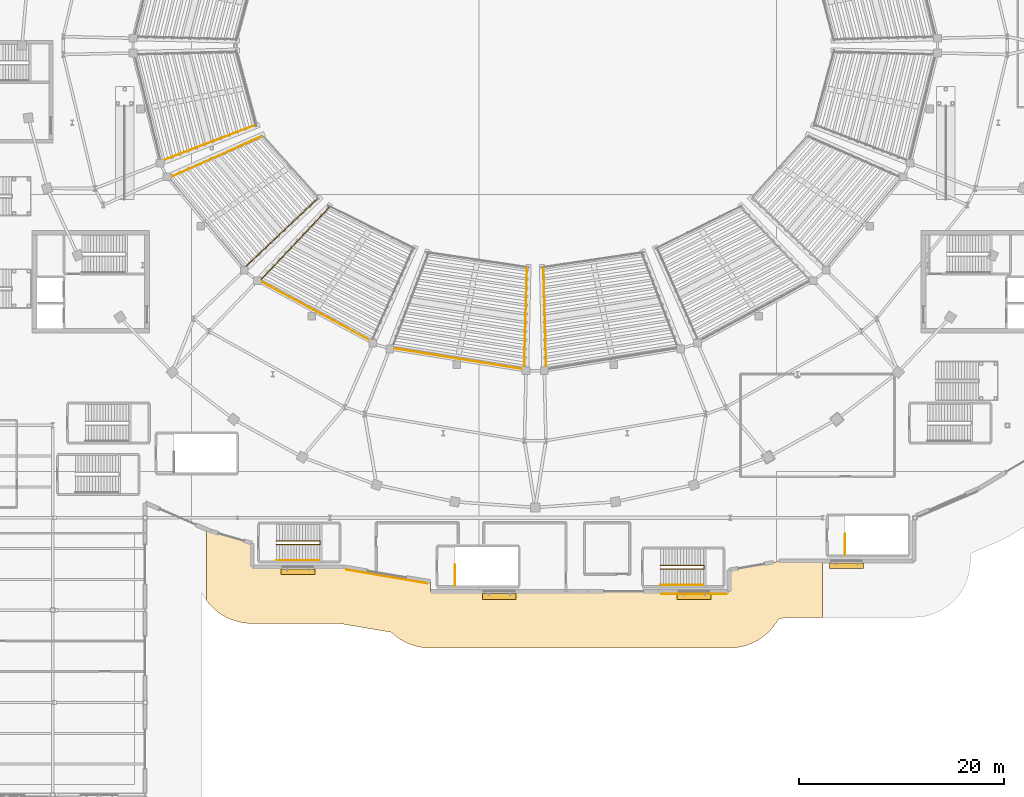
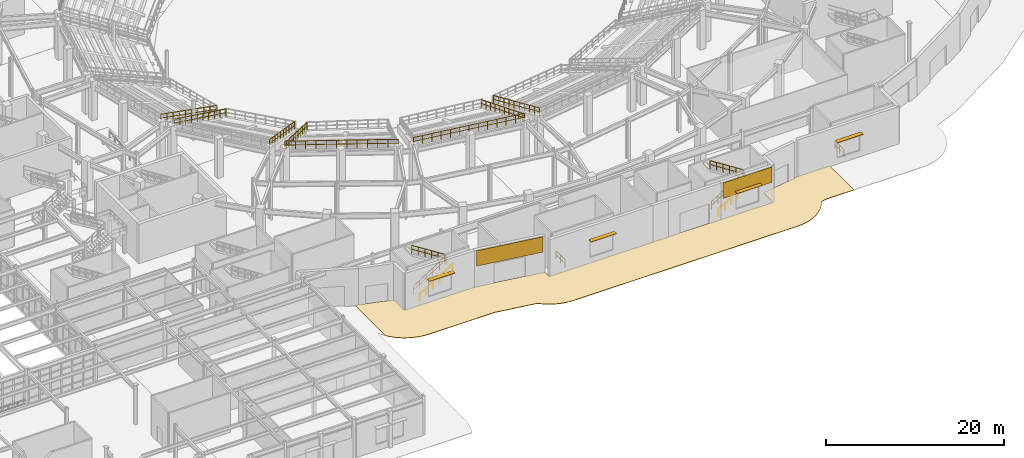
# One storey, part 72 of 79: 14 railings, 4 shading devices, 3 coverings.
"""IFC4 building model written with IfcOpenShell, lengths in metres."""

from ifc_helpers import new_model, si_unit, direction, frame, origin, origin_2d, place, context, subcontext, project, spatial, polyline, rectangle, circle, outline, extrude, material, layer, layer_set, type_object, element, save


model = new_model("IFC4")

# Units and contexts
model_context = context("Model", 3, precision=1e-05, world=origin(), true_north=direction((0.0, 1.0)))
body_context = subcontext(model_context, "Body", "Model", "MODEL_VIEW")
ifc_project = project(units=[si_unit("LENGTHUNIT", "METRE"), si_unit("AREAUNIT", "SQUARE_METRE"), si_unit("VOLUMEUNIT", "CUBIC_METRE"), si_unit("PLANEANGLEUNIT", "RADIAN"), si_unit("MASSUNIT", "GRAM", prefix="KILO")], contexts=[model_context])

# Site, building, storey
site_placement = place(None, origin())
site = spatial("IfcSite", under=ifc_project, at=site_placement, CompositionType="ELEMENT")
building_placement = place(site_placement, origin())
building = spatial("IfcBuilding", under=site, at=building_placement, Name="Glasvene Arena", CompositionType="ELEMENT")
storey_placement = place(building_placement, origin())
storey = spatial("IfcBuildingStorey", under=building, at=storey_placement, Name="L00", CompositionType="ELEMENT", Elevation=0.0)

# Coverings
ifc_material_1 = material(Name="Coursed pale Irish limestone", Category="masonry")
ifc_layer_1 = layer(ifc_material_1, 0.050048828125)
ifc_layer_set_1 = layer_set([ifc_layer_1], Name="Coursed pale Irish limestone")
covering_type_1 = type_object("IfcCoveringType", Name="COV-CLAD-LIM", PredefinedType="CLADDING", material=ifc_layer_set_1)
covering_1_placement = place(storey_placement, frame((107.47509765625, 19.580078125, 2.949951171875), z_axis=(0.0, 0.0, 1.0), x_axis=(-1.0, 0.0, 0.0)))
element("IfcCovering", 1, at=covering_1_placement, inside=storey, type_object=covering_type_1, Name="Irish limestone spandrel cladding EW-L00-0045", PredefinedType="CLADDING", context=body_context, shape_type="SweptSolid", body=[
    extrude(rectangle(XDim=6.35009765625, YDim=0.050048828125, at=origin_2d()), origin(), (0.0, 0.0, 1.0), 2.1201171875),
])
covering_2_placement = place(storey_placement, frame((77.533203125, 21.27099609375, 2.949951171875), z_axis=(0.0, 0.0, 1.0), x_axis=(-0.98587937025, 0.16745706111, 0.0)))
element("IfcCovering", 2, at=covering_2_placement, inside=storey, type_object=covering_type_1, Name="Irish limestone spandrel cladding EW-L00-0049", PredefinedType="CLADDING", context=body_context, shape_type="SweptSolid", body=[
    extrude(rectangle(XDim=8.000732421875, YDim=0.050048828125, at=origin_2d()), origin(), (0.0, 0.0, 1.0), 2.1201171875),
])
ifc_material_2 = material(Name="Irish silver-grey granite paving", Category="masonry")
ifc_layer_2 = layer(ifc_material_2, 0.06005859375)
ifc_layer_set_2 = layer_set([ifc_layer_2], Name="Irish silver-grey granite paving")
covering_type_2 = type_object("IfcCoveringType", Name="COV-PLAZA-GRAN", PredefinedType="FLOORING", material=ifc_layer_set_2)
covering_3_placement = place(storey_placement, frame((88.33251953125, 17.781494140625, -0.06005859375)))
element("IfcCovering", 3, at=covering_3_placement, inside=storey, type_object=covering_type_2, Name="Perimeter granite street plaza paving 03", PredefinedType="FLOORING", context=body_context, shape_type="SweptSolid", body=[
    extrude(outline(polyline([(28.153564453125, -0.4814453125), (27.791748046875, -0.56494140625), (27.3818359375, -0.634521484375), (27.140625, -1.037109375), (26.819091796875, -1.470703125), (26.45654296875, -1.87060546875), (26.056640625, -2.233154296875), (25.623046875, -2.5546875), (25.16015625, -2.83203125), (24.67236328125, -3.062744140625), (24.1640625, -3.24462890625), (23.640380859375, -3.375732421875), (23.106689453125, -3.455078125), (22.5673828125, -3.4814453125), (-6.532470703125, -3.4814453125), (-7.071533203125, -3.455078125), (-7.60546875, -3.375732421875), (-8.129150390625, -3.24462890625), (-8.63720703125, -3.062744140625), (-9.125244140625, -2.83203125), (-9.588134765625, -2.5546875), (-10.021728515625, -2.233154296875), (-10.340576171875, -1.944091796875), (-15.4169921875, -1.08154296875), (-23.9326171875, -1.08154296875), (-24.4716796875, -1.054931640625), (-25.005615234375, -0.975830078125), (-25.529052734375, -0.8447265625), (-26.037353515625, -0.662841796875), (-26.525146484375, -0.43212890625), (-26.988037109375, -0.154541015625), (-27.421630859375, 0.1669921875), (-27.821533203125, 0.529296875), (-28.18408203125, 0.92919921875), (-28.33251953125, 1.12939453125), (-28.33251953125, 8.065185546875), (-27.95458984375, 7.901123046875), (-23.942626953125, 6.72509765625), (-23.942626953125, 4.41845703125), (-14.953857421875, 4.408447265625), (-6.573974609375, 2.984619140625), (-6.54248046875, 2.98291015625), (-6.54248046875, 2.0185546875), (22.568359375, 2.008544921875), (22.577392578125, 4.11767578125), (26.8720703125, 4.847412109375), (27.421630859375, 5.008544921875), (31.66748046875, 5.008544921875), (31.66748046875, -0.4814453125), (28.153564453125, -0.4814453125)])), origin(), (0.0, 0.0, 1.0), 0.06005859375),
])

# Railings
ifc_material_3 = material(Name="Brushed stainless steel", Category="steel")
railing_type_1 = type_object("IfcRailingType", Name="RL-GUARD-1100", PredefinedType="GUARDRAIL", material=ifc_material_3)
railing_1_placement = place(storey_placement, frame((66.800048828125, 24.409912109375, 0.0)))
element("IfcRailing", 4, at=railing_1_placement, inside=storey, type_object=railing_type_1, Name="Stair inner well continuous guardrail ST-08-L00", PredefinedType="GUARDRAIL", context=body_context, shape_type="SweptSolid", body=[
    extrude(circle(Radius=0.02392578125, at=origin_2d()), frame((0.0, 0.0, 1.076171875), z_axis=(0.843501457581, 0.0, 0.537126885437), x_axis=(0.0, 1.0, 0.0)), (0.0, 0.0, 1.0), 5.026611328125),
    extrude(circle(Radius=0.01611328125, at=origin_2d()), frame((0.0, 0.0, 0.550048828125), z_axis=(0.843501457581, 0.0, 0.537126885437), x_axis=(0.0, 1.0, 0.0)), (0.0, 0.0, 1.0), 5.026611328125),
    extrude(circle(Radius=0.02392578125, at=origin_2d()), frame((4.239990234375, 0.0, 3.77587890625), z_axis=(0.0, 1.0, 0.0), x_axis=(-1.0, 0.0, 0.0)), (0.0, 0.0, 1.0), 0.330078125),
    extrude(circle(Radius=0.01611328125, at=origin_2d()), frame((4.239990234375, 0.0, 3.25), z_axis=(0.0, 1.0, 0.0), x_axis=(-1.0, 0.0, 0.0)), (0.0, 0.0, 1.0), 0.330078125),
    extrude(circle(Radius=0.02392578125, at=origin_2d()), frame((4.239990234375, 0.330078125, 3.77587890625), z_axis=(-0.843501457581, 0.0, 0.537126885437), x_axis=(0.0, -1.0, 0.0)), (0.0, 0.0, 1.0), 5.026611328125),
    extrude(circle(Radius=0.01611328125, at=origin_2d()), frame((4.239990234375, 0.330078125, 3.25), z_axis=(-0.843501457581, 0.0, 0.537126885437), x_axis=(0.0, -1.0, 0.0)), (0.0, 0.0, 1.0), 5.026611328125),
    extrude(circle(Radius=0.02099609375, at=origin_2d()), origin(), (0.0, 0.0, 1.0), 1.052001953125),
    extrude(circle(Radius=0.02099609375, at=origin_2d()), frame((0.847900390625, 0.0, 0.5400390625)), (0.0, 0.0, 1.0), 1.052001953125),
    extrude(circle(Radius=0.02099609375, at=origin_2d()), frame((1.696044921875, 0.0, 1.080078125)), (0.0, 0.0, 1.0), 1.052001953125),
    extrude(circle(Radius=0.02099609375, at=origin_2d()), frame((2.5439453125, 0.0, 1.619873046875)), (0.0, 0.0, 1.0), 1.052001953125),
    extrude(circle(Radius=0.02099609375, at=origin_2d()), frame((3.39208984375, 0.0, 2.159912109375)), (0.0, 0.0, 1.0), 1.052001953125),
    extrude(circle(Radius=0.02099609375, at=origin_2d()), frame((4.239990234375, 0.0, 2.699951171875)), (0.0, 0.0, 1.0), 1.052001953125),
    extrude(circle(Radius=0.02099609375, at=origin_2d()), frame((4.239990234375, 0.330078125, 2.699951171875)), (0.0, 0.0, 1.0), 1.052001953125),
    extrude(circle(Radius=0.02099609375, at=origin_2d()), frame((3.39208984375, 0.330078125, 3.239990234375)), (0.0, 0.0, 1.0), 1.052001953125),
    extrude(circle(Radius=0.02099609375, at=origin_2d()), frame((2.5439453125, 0.330078125, 3.780029296875)), (0.0, 0.0, 1.0), 1.052001953125),
    extrude(circle(Radius=0.02099609375, at=origin_2d()), frame((1.696044921875, 0.330078125, 4.31982421875)), (0.0, 0.0, 1.0), 1.052001953125),
    extrude(circle(Radius=0.02099609375, at=origin_2d()), frame((0.847900390625, 0.330078125, 4.85986328125)), (0.0, 0.0, 1.0), 1.052001953125),
    extrude(circle(Radius=0.02099609375, at=origin_2d()), frame((0.0, 0.330078125, 5.39990234375)), (0.0, 0.0, 1.0), 1.052001953125),
])
railing_2_placement = place(storey_placement, frame((104.199951171875, 22.010009765625, 0.0)))
element("IfcRailing", 5, at=railing_2_placement, inside=storey, type_object=railing_type_1, Name="Stair inner well continuous guardrail ST-09-L00", PredefinedType="GUARDRAIL", context=body_context, shape_type="SweptSolid", body=[
    extrude(circle(Radius=0.02392578125, at=origin_2d()), frame((0.0, 0.0, 1.076171875), z_axis=(0.843501457581, 0.0, 0.537126885437), x_axis=(0.0, 1.0, 0.0)), (0.0, 0.0, 1.0), 5.026611328125),
    extrude(circle(Radius=0.01611328125, at=origin_2d()), frame((0.0, 0.0, 0.550048828125), z_axis=(0.843501457581, 0.0, 0.537126885437), x_axis=(0.0, 1.0, 0.0)), (0.0, 0.0, 1.0), 5.026611328125),
    extrude(circle(Radius=0.02392578125, at=origin_2d()), frame((4.239990234375, 0.0, 3.77587890625), z_axis=(0.0, 1.0, 0.0), x_axis=(-1.0, 0.0, 0.0)), (0.0, 0.0, 1.0), 0.330078125),
    extrude(circle(Radius=0.01611328125, at=origin_2d()), frame((4.239990234375, 0.0, 3.25), z_axis=(0.0, 1.0, 0.0), x_axis=(-1.0, 0.0, 0.0)), (0.0, 0.0, 1.0), 0.330078125),
    extrude(circle(Radius=0.02392578125, at=origin_2d()), frame((4.239990234375, 0.330078125, 3.77587890625), z_axis=(-0.843501457581, 0.0, 0.537126885437), x_axis=(0.0, -1.0, 0.0)), (0.0, 0.0, 1.0), 5.026611328125),
    extrude(circle(Radius=0.01611328125, at=origin_2d()), frame((4.239990234375, 0.330078125, 3.25), z_axis=(-0.843501457581, 0.0, 0.537126885437), x_axis=(0.0, -1.0, 0.0)), (0.0, 0.0, 1.0), 5.026611328125),
    extrude(circle(Radius=0.02099609375, at=origin_2d()), origin(), (0.0, 0.0, 1.0), 1.052001953125),
    extrude(circle(Radius=0.02099609375, at=origin_2d()), frame((0.847900390625, 0.0, 0.5400390625)), (0.0, 0.0, 1.0), 1.052001953125),
    extrude(circle(Radius=0.02099609375, at=origin_2d()), frame((1.696044921875, 0.0, 1.080078125)), (0.0, 0.0, 1.0), 1.052001953125),
    extrude(circle(Radius=0.02099609375, at=origin_2d()), frame((2.5439453125, 0.0, 1.619873046875)), (0.0, 0.0, 1.0), 1.052001953125),
    extrude(circle(Radius=0.02099609375, at=origin_2d()), frame((3.39208984375, 0.0, 2.159912109375)), (0.0, 0.0, 1.0), 1.052001953125),
    extrude(circle(Radius=0.02099609375, at=origin_2d()), frame((4.239990234375, 0.0, 2.699951171875)), (0.0, 0.0, 1.0), 1.052001953125),
    extrude(circle(Radius=0.02099609375, at=origin_2d()), frame((4.239990234375, 0.330078125, 2.699951171875)), (0.0, 0.0, 1.0), 1.052001953125),
    extrude(circle(Radius=0.02099609375, at=origin_2d()), frame((3.39208984375, 0.330078125, 3.239990234375)), (0.0, 0.0, 1.0), 1.052001953125),
    extrude(circle(Radius=0.02099609375, at=origin_2d()), frame((2.5439453125, 0.330078125, 3.780029296875)), (0.0, 0.0, 1.0), 1.052001953125),
    extrude(circle(Radius=0.02099609375, at=origin_2d()), frame((1.696044921875, 0.330078125, 4.31982421875)), (0.0, 0.0, 1.0), 1.052001953125),
    extrude(circle(Radius=0.02099609375, at=origin_2d()), frame((0.847900390625, 0.330078125, 4.85986328125)), (0.0, 0.0, 1.0), 1.052001953125),
    extrude(circle(Radius=0.02099609375, at=origin_2d()), frame((0.0, 0.330078125, 5.39990234375)), (0.0, 0.0, 1.0), 1.052001953125),
])
for number, where, name in (
    (6, (122.199951171875, 23.39990234375, 0.0), "Stair top landing well guard ST-B07"),
    (7, (84.199951171875, 20.39990234375, 0.0), "Stair top landing well guard ST-B08"),
):
    element("IfcRailing", number, at=place(storey_placement, frame(where)), inside=storey, type_object=railing_type_1, Name=name, PredefinedType="GUARDRAIL", context=body_context, shape_type="SweptSolid", body=[
        extrude(circle(Radius=0.02392578125, at=origin_2d()), frame((0.0, 0.0, 1.076171875), z_axis=(0.0, 1.0, 0.0), x_axis=(-1.0, 0.0, 0.0)), (0.0, 0.0, 1.0), 2.0),
        extrude(circle(Radius=0.01611328125, at=origin_2d()), frame((0.0, 0.0, 0.550048828125), z_axis=(0.0, 1.0, 0.0), x_axis=(-1.0, 0.0, 0.0)), (0.0, 0.0, 1.0), 2.0),
        extrude(circle(Radius=0.02099609375, at=origin_2d()), origin(), (0.0, 0.0, 1.0), 1.052001953125),
        extrude(circle(Radius=0.02099609375, at=origin_2d()), frame((0.0, 1.0, 0.0)), (0.0, 0.0, 1.0), 1.052001953125),
        extrude(circle(Radius=0.02099609375, at=origin_2d()), frame((0.0, 2.0, 0.0)), (0.0, 0.0, 1.0), 1.052001953125),
    ])
railing_3_placement = place(storey_placement, frame((64.7705078125, 65.271728515625, 0.760009765625)))
element("IfcRailing", 8, at=railing_3_placement, inside=storey, type_object=railing_type_1, Name="Lower tier radial aisle guard 09-2", PredefinedType="GUARDRAIL", context=body_context, shape_type="SweptSolid", body=[
    extrude(circle(Radius=0.02392578125, at=origin_2d()), frame((0.0, 0.0, 1.076171875), z_axis=(-0.860565498755, -0.328831939306, 0.388968608046), x_axis=(0.356940655719, -0.934127062179, 0.0)), (0.0, 0.0, 1.0), 10.74609375),
    extrude(circle(Radius=0.01611328125, at=origin_2d()), frame((0.0, 0.0, 0.550048828125), z_axis=(-0.860565498755, -0.328831939306, 0.388968608046), x_axis=(0.356940655719, -0.934127062179, 0.0)), (0.0, 0.0, 1.0), 10.74609375),
    extrude(circle(Radius=0.02099609375, at=origin_2d()), origin(), (0.0, 0.0, 1.0), 1.052001953125),
    extrude(circle(Radius=0.02099609375, at=origin_2d()), frame((-1.027587890625, -0.392578125, 0.46435546875)), (0.0, 0.0, 1.0), 1.052001953125),
    extrude(circle(Radius=0.02099609375, at=origin_2d()), frame((-2.05517578125, -0.78515625, 0.928955078125)), (0.0, 0.0, 1.0), 1.052001953125),
    extrude(circle(Radius=0.02099609375, at=origin_2d()), frame((-3.08251953125, -1.177978515625, 1.393310546875)), (0.0, 0.0, 1.0), 1.052001953125),
    extrude(circle(Radius=0.02099609375, at=origin_2d()), frame((-4.110107421875, -1.570556640625, 1.857666015625)), (0.0, 0.0, 1.0), 1.052001953125),
    extrude(circle(Radius=0.02099609375, at=origin_2d()), frame((-5.1376953125, -1.963134765625, 2.322265625)), (0.0, 0.0, 1.0), 1.052001953125),
    extrude(circle(Radius=0.02099609375, at=origin_2d()), frame((-6.165283203125, -2.355712890625, 2.78662109375)), (0.0, 0.0, 1.0), 1.052001953125),
    extrude(circle(Radius=0.02099609375, at=origin_2d()), frame((-7.192626953125, -2.74853515625, 3.2509765625)), (0.0, 0.0, 1.0), 1.052001953125),
    extrude(circle(Radius=0.02099609375, at=origin_2d()), frame((-8.22021484375, -3.14111328125, 3.715576171875)), (0.0, 0.0, 1.0), 1.052001953125),
    extrude(circle(Radius=0.02099609375, at=origin_2d()), frame((-9.247802734375, -3.53369140625, 4.179931640625)), (0.0, 0.0, 1.0), 1.052001953125),
])
railing_4_placement = place(storey_placement, frame((65.38818359375, 64.164306640625, 0.760009765625)))
element("IfcRailing", 9, at=railing_4_placement, inside=storey, type_object=railing_type_1, Name="Lower tier radial aisle guard 10-1", PredefinedType="GUARDRAIL", context=body_context, shape_type="SweptSolid", body=[
    extrude(circle(Radius=0.02392578125, at=origin_2d()), frame((0.0, 0.0, 1.076171875), z_axis=(-0.841042563184, -0.375970107459, 0.388965146523), x_axis=(0.408107570305, -0.912933848129, 0.0)), (0.0, 0.0, 1.0), 10.746337890625),
    extrude(circle(Radius=0.01611328125, at=origin_2d()), frame((0.0, 0.0, 0.550048828125), z_axis=(-0.841042563184, -0.375970107459, 0.388965146523), x_axis=(0.408107570305, -0.912933848129, 0.0)), (0.0, 0.0, 1.0), 10.746337890625),
    extrude(circle(Radius=0.02099609375, at=origin_2d()), origin(), (0.0, 0.0, 1.0), 1.052001953125),
    extrude(circle(Radius=0.02099609375, at=origin_2d()), frame((-1.004150390625, -0.448974609375, 0.46435546875)), (0.0, 0.0, 1.0), 1.052001953125),
    extrude(circle(Radius=0.02099609375, at=origin_2d()), frame((-2.008544921875, -0.89794921875, 0.928955078125)), (0.0, 0.0, 1.0), 1.052001953125),
    extrude(circle(Radius=0.02099609375, at=origin_2d()), frame((-3.0126953125, -1.3466796875, 1.393310546875)), (0.0, 0.0, 1.0), 1.052001953125),
    extrude(circle(Radius=0.02099609375, at=origin_2d()), frame((-4.016845703125, -1.795654296875, 1.857666015625)), (0.0, 0.0, 1.0), 1.052001953125),
    extrude(circle(Radius=0.02099609375, at=origin_2d()), frame((-5.021240234375, -2.24462890625, 2.322265625)), (0.0, 0.0, 1.0), 1.052001953125),
    extrude(circle(Radius=0.02099609375, at=origin_2d()), frame((-6.025390625, -2.693603515625, 2.78662109375)), (0.0, 0.0, 1.0), 1.052001953125),
    extrude(circle(Radius=0.02099609375, at=origin_2d()), frame((-7.029541015625, -3.142333984375, 3.2509765625)), (0.0, 0.0, 1.0), 1.052001953125),
    extrude(circle(Radius=0.02099609375, at=origin_2d()), frame((-8.033935546875, -3.59130859375, 3.715576171875)), (0.0, 0.0, 1.0), 1.052001953125),
    extrude(circle(Radius=0.02099609375, at=origin_2d()), frame((-9.0380859375, -4.040283203125, 4.179931640625)), (0.0, 0.0, 1.0), 1.052001953125),
])
railing_5_placement = place(storey_placement, frame((70.8251953125, 58.120849609375, 0.760009765625)))
element("IfcRailing", 10, at=railing_5_placement, inside=storey, type_object=railing_type_1, Name="Lower tier radial aisle guard 10-2", PredefinedType="GUARDRAIL", context=body_context, shape_type="SweptSolid", body=[
    extrude(circle(Radius=0.02392578125, at=origin_2d()), frame((0.0, 0.0, 1.076171875), z_axis=(-0.669213812834, -0.633137106626, 0.388960508183), x_axis=(0.687255427654, -0.726415843137, 0.0)), (0.0, 0.0, 1.0), 10.746337890625),
    extrude(circle(Radius=0.01611328125, at=origin_2d()), frame((0.0, 0.0, 0.550048828125), z_axis=(-0.669213812834, -0.633137106626, 0.388960508183), x_axis=(0.687255427654, -0.726415843137, 0.0)), (0.0, 0.0, 1.0), 10.746337890625),
    extrude(circle(Radius=0.02099609375, at=origin_2d()), origin(), (0.0, 0.0, 1.0), 1.052001953125),
    extrude(circle(Radius=0.02099609375, at=origin_2d()), frame((-0.799072265625, -0.756103515625, 0.46435546875)), (0.0, 0.0, 1.0), 1.052001953125),
    extrude(circle(Radius=0.02099609375, at=origin_2d()), frame((-1.59814453125, -1.511962890625, 0.928955078125)), (0.0, 0.0, 1.0), 1.052001953125),
    extrude(circle(Radius=0.02099609375, at=origin_2d()), frame((-2.397216796875, -2.26806640625, 1.393310546875)), (0.0, 0.0, 1.0), 1.052001953125),
    extrude(circle(Radius=0.02099609375, at=origin_2d()), frame((-3.1962890625, -3.02392578125, 1.857666015625)), (0.0, 0.0, 1.0), 1.052001953125),
    extrude(circle(Radius=0.02099609375, at=origin_2d()), frame((-3.995361328125, -3.780029296875, 2.322265625)), (0.0, 0.0, 1.0), 1.052001953125),
    extrude(circle(Radius=0.02099609375, at=origin_2d()), frame((-4.79443359375, -4.535888671875, 2.78662109375)), (0.0, 0.0, 1.0), 1.052001953125),
    extrude(circle(Radius=0.02099609375, at=origin_2d()), frame((-5.593505859375, -5.2919921875, 3.2509765625)), (0.0, 0.0, 1.0), 1.052001953125),
    extrude(circle(Radius=0.02099609375, at=origin_2d()), frame((-6.392578125, -6.0478515625, 3.715576171875)), (0.0, 0.0, 1.0), 1.052001953125),
    extrude(circle(Radius=0.02099609375, at=origin_2d()), frame((-7.191650390625, -6.803955078125, 4.179931640625)), (0.0, 0.0, 1.0), 1.052001953125),
])
railing_6_placement = place(storey_placement, frame((65.000244140625, 50.168701171875, 4.93994140625)))
element("IfcRailing", 11, at=railing_6_placement, inside=storey, type_object=railing_type_1, Name="Safety guardrail GD-TL-LR-11-001", PredefinedType="GUARDRAIL", context=body_context, shape_type="SweptSolid", body=[
    extrude(circle(Radius=0.02392578125, at=origin_2d()), frame((0.0, 0.0, 1.076171875), z_axis=(0.87993179108, -0.475100034779, 0.0), x_axis=(0.475100034779, 0.87993179108, 0.0)), (0.0, 0.0, 1.0), 12.761474609375),
    extrude(circle(Radius=0.01611328125, at=origin_2d()), frame((0.0, 0.0, 0.550048828125), z_axis=(0.87993179108, -0.475100034779, 0.0), x_axis=(0.475100034779, 0.87993179108, 0.0)), (0.0, 0.0, 1.0), 12.761474609375),
    extrude(circle(Radius=0.02099609375, at=origin_2d()), origin(), (0.0, 0.0, 1.0), 1.052001953125),
    extrude(circle(Radius=0.02099609375, at=origin_2d()), frame((1.020751953125, -0.55126953125, 0.0)), (0.0, 0.0, 1.0), 1.052001953125),
    extrude(circle(Radius=0.02099609375, at=origin_2d()), frame((2.041748046875, -1.102294921875, 0.0)), (0.0, 0.0, 1.0), 1.052001953125),
    extrude(circle(Radius=0.02099609375, at=origin_2d()), frame((3.0625, -1.653564453125, 0.0)), (0.0, 0.0, 1.0), 1.052001953125),
    extrude(circle(Radius=0.02099609375, at=origin_2d()), frame((4.083251953125, -2.204833984375, 0.0)), (0.0, 0.0, 1.0), 1.052001953125),
    extrude(circle(Radius=0.02099609375, at=origin_2d()), frame((5.104248046875, -2.755859375, 0.0)), (0.0, 0.0, 1.0), 1.052001953125),
    extrude(circle(Radius=0.02099609375, at=origin_2d()), frame((6.125, -3.30712890625, 0.0)), (0.0, 0.0, 1.0), 1.052001953125),
    extrude(circle(Radius=0.02099609375, at=origin_2d()), frame((7.14599609375, -3.858154296875, 0.0)), (0.0, 0.0, 1.0), 1.052001953125),
    extrude(circle(Radius=0.02099609375, at=origin_2d()), frame((8.166748046875, -4.409423828125, 0.0)), (0.0, 0.0, 1.0), 1.052001953125),
    extrude(circle(Radius=0.02099609375, at=origin_2d()), frame((9.1875, -4.960693359375, 0.0)), (0.0, 0.0, 1.0), 1.052001953125),
    extrude(circle(Radius=0.02099609375, at=origin_2d()), frame((10.20849609375, -5.51171875, 0.0)), (0.0, 0.0, 1.0), 1.052001953125),
    extrude(circle(Radius=0.02099609375, at=origin_2d()), frame((11.229248046875, -6.06298828125, 0.0)), (0.0, 0.0, 1.0), 1.052001953125),
])
railing_7_placement = place(storey_placement, frame((71.96630859375, 57.273193359375, 0.760009765625)))
element("IfcRailing", 12, at=railing_7_placement, inside=storey, type_object=railing_type_1, Name="Lower tier radial aisle guard 11-1", PredefinedType="GUARDRAIL", context=body_context, shape_type="SweptSolid", body=[
    extrude(circle(Radius=0.02392578125, at=origin_2d()), frame((0.0, 0.0, 1.076171875), z_axis=(-0.633133120907, -0.669210894554, 0.388972016759), x_axis=(0.726416506845, -0.687254726126, 0.0)), (0.0, 0.0, 1.0), 10.74609375),
    extrude(circle(Radius=0.01611328125, at=origin_2d()), frame((0.0, 0.0, 0.550048828125), z_axis=(-0.633133120907, -0.669210894554, 0.388972016759), x_axis=(0.726416506845, -0.687254726126, 0.0)), (0.0, 0.0, 1.0), 10.74609375),
    extrude(circle(Radius=0.02099609375, at=origin_2d()), origin(), (0.0, 0.0, 1.0), 1.052001953125),
    extrude(circle(Radius=0.02099609375, at=origin_2d()), frame((-0.755859375, -0.799072265625, 0.46435546875)), (0.0, 0.0, 1.0), 1.052001953125),
    extrude(circle(Radius=0.02099609375, at=origin_2d()), frame((-1.511962890625, -1.59814453125, 0.928955078125)), (0.0, 0.0, 1.0), 1.052001953125),
    extrude(circle(Radius=0.02099609375, at=origin_2d()), frame((-2.267822265625, -2.397216796875, 1.393310546875)), (0.0, 0.0, 1.0), 1.052001953125),
    extrude(circle(Radius=0.02099609375, at=origin_2d()), frame((-3.02392578125, -3.1962890625, 1.857666015625)), (0.0, 0.0, 1.0), 1.052001953125),
    extrude(circle(Radius=0.02099609375, at=origin_2d()), frame((-3.77978515625, -3.9951171875, 2.322265625)), (0.0, 0.0, 1.0), 1.052001953125),
    extrude(circle(Radius=0.02099609375, at=origin_2d()), frame((-4.535888671875, -4.794189453125, 2.78662109375)), (0.0, 0.0, 1.0), 1.052001953125),
    extrude(circle(Radius=0.02099609375, at=origin_2d()), frame((-5.291748046875, -5.59326171875, 3.2509765625)), (0.0, 0.0, 1.0), 1.052001953125),
    extrude(circle(Radius=0.02099609375, at=origin_2d()), frame((-6.0478515625, -6.392333984375, 3.715576171875)), (0.0, 0.0, 1.0), 1.052001953125),
    extrude(circle(Radius=0.02099609375, at=origin_2d()), frame((-6.8037109375, -7.19140625, 4.179931640625)), (0.0, 0.0, 1.0), 1.052001953125),
])
railing_8_placement = place(storey_placement, frame((77.86767578125, 43.55712890625, 4.93994140625)))
element("IfcRailing", 13, at=railing_8_placement, inside=storey, type_object=railing_type_1, Name="Safety guardrail GD-TL-LR-12-001", PredefinedType="GUARDRAIL", context=body_context, shape_type="SweptSolid", body=[
    extrude(circle(Radius=0.02392578125, at=origin_2d()), frame((0.0, 0.0, 1.076171875), z_axis=(0.987325788785, -0.158706606038, 0.0), x_axis=(0.158706606038, 0.987325788785, 0.0)), (0.0, 0.0, 1.0), 13.41552734375),
    extrude(circle(Radius=0.01611328125, at=origin_2d()), frame((0.0, 0.0, 0.550048828125), z_axis=(0.987325788785, -0.158706606038, 0.0), x_axis=(0.158706606038, 0.987325788785, 0.0)), (0.0, 0.0, 1.0), 13.41552734375),
    extrude(circle(Radius=0.02099609375, at=origin_2d()), origin(), (0.0, 0.0, 1.0), 1.052001953125),
    extrude(circle(Radius=0.02099609375, at=origin_2d()), frame((1.103759765625, -0.177490234375, 0.0)), (0.0, 0.0, 1.0), 1.052001953125),
    extrude(circle(Radius=0.02099609375, at=origin_2d()), frame((2.20751953125, -0.35498046875, 0.0)), (0.0, 0.0, 1.0), 1.052001953125),
    extrude(circle(Radius=0.02099609375, at=origin_2d()), frame((3.3115234375, -0.5322265625, 0.0)), (0.0, 0.0, 1.0), 1.052001953125),
    extrude(circle(Radius=0.02099609375, at=origin_2d()), frame((4.415283203125, -0.709716796875, 0.0)), (0.0, 0.0, 1.0), 1.052001953125),
    extrude(circle(Radius=0.02099609375, at=origin_2d()), frame((5.51904296875, -0.88720703125, 0.0)), (0.0, 0.0, 1.0), 1.052001953125),
    extrude(circle(Radius=0.02099609375, at=origin_2d()), frame((6.622802734375, -1.064453125, 0.0)), (0.0, 0.0, 1.0), 1.052001953125),
    extrude(circle(Radius=0.02099609375, at=origin_2d()), frame((7.7265625, -1.241943359375, 0.0)), (0.0, 0.0, 1.0), 1.052001953125),
    extrude(circle(Radius=0.02099609375, at=origin_2d()), frame((8.830322265625, -1.41943359375, 0.0)), (0.0, 0.0, 1.0), 1.052001953125),
    extrude(circle(Radius=0.02099609375, at=origin_2d()), frame((9.93408203125, -1.596923828125, 0.0)), (0.0, 0.0, 1.0), 1.052001953125),
    extrude(circle(Radius=0.02099609375, at=origin_2d()), frame((11.0380859375, -1.7744140625, 0.0)), (0.0, 0.0, 1.0), 1.052001953125),
    extrude(circle(Radius=0.02099609375, at=origin_2d()), frame((12.141845703125, -1.95166015625, 0.0)), (0.0, 0.0, 1.0), 1.052001953125),
    extrude(circle(Radius=0.02099609375, at=origin_2d()), frame((13.24560546875, -2.129150390625, 0.0)), (0.0, 0.0, 1.0), 1.052001953125),
])
railing_9_placement = place(storey_placement, frame((91.193115234375, 51.3583984375, 0.760009765625)))
element("IfcRailing", 14, at=railing_9_placement, inside=storey, type_object=railing_type_1, Name="Lower tier radial aisle guard 12-2", PredefinedType="GUARDRAIL", context=body_context, shape_type="SweptSolid", body=[
    extrude(circle(Radius=0.02392578125, at=origin_2d()), frame((0.0, 0.0, 1.076171875), z_axis=(-0.025513003644, -0.920899022887, 0.388965392151), x_axis=(0.99961645242, -0.027693826966, 0.0)), (0.0, 0.0, 1.0), 10.746337890625),
    extrude(circle(Radius=0.01611328125, at=origin_2d()), frame((0.0, 0.0, 0.550048828125), z_axis=(-0.025513003644, -0.920899022887, 0.388965392151), x_axis=(0.99961645242, -0.027693826966, 0.0)), (0.0, 0.0, 1.0), 10.746337890625),
    extrude(circle(Radius=0.02099609375, at=origin_2d()), origin(), (0.0, 0.0, 1.0), 1.052001953125),
    extrude(circle(Radius=0.02099609375, at=origin_2d()), frame((-0.030517578125, -1.099609375, 0.46435546875)), (0.0, 0.0, 1.0), 1.052001953125),
    extrude(circle(Radius=0.02099609375, at=origin_2d()), frame((-0.06103515625, -2.19921875, 0.928955078125)), (0.0, 0.0, 1.0), 1.052001953125),
    extrude(circle(Radius=0.02099609375, at=origin_2d()), frame((-0.09130859375, -3.298828125, 1.393310546875)), (0.0, 0.0, 1.0), 1.052001953125),
    extrude(circle(Radius=0.02099609375, at=origin_2d()), frame((-0.121826171875, -4.3984375, 1.857666015625)), (0.0, 0.0, 1.0), 1.052001953125),
    extrude(circle(Radius=0.02099609375, at=origin_2d()), frame((-0.15234375, -5.497802734375, 2.322265625)), (0.0, 0.0, 1.0), 1.052001953125),
    extrude(circle(Radius=0.02099609375, at=origin_2d()), frame((-0.182861328125, -6.597412109375, 2.78662109375)), (0.0, 0.0, 1.0), 1.052001953125),
    extrude(circle(Radius=0.02099609375, at=origin_2d()), frame((-0.213134765625, -7.697021484375, 3.2509765625)), (0.0, 0.0, 1.0), 1.052001953125),
    extrude(circle(Radius=0.02099609375, at=origin_2d()), frame((-0.24365234375, -8.796630859375, 3.715576171875)), (0.0, 0.0, 1.0), 1.052001953125),
    extrude(circle(Radius=0.02099609375, at=origin_2d()), frame((-0.274169921875, -9.896240234375, 4.179931640625)), (0.0, 0.0, 1.0), 1.052001953125),
])
railing_10_placement = place(storey_placement, frame((92.806884765625, 51.3583984375, 0.760009765625)))
element("IfcRailing", 15, at=railing_10_placement, inside=storey, type_object=railing_type_1, Name="Lower tier radial aisle guard 13-1", PredefinedType="GUARDRAIL", context=body_context, shape_type="SweptSolid", body=[
    extrude(circle(Radius=0.02392578125, at=origin_2d()), frame((0.0, 0.0, 1.076171875), z_axis=(0.025513003644, -0.920899022887, 0.388965392151), x_axis=(0.99961645242, 0.027693826966, 0.0)), (0.0, 0.0, 1.0), 10.746337890625),
    extrude(circle(Radius=0.01611328125, at=origin_2d()), frame((0.0, 0.0, 0.550048828125), z_axis=(0.025513003644, -0.920899022887, 0.388965392151), x_axis=(0.99961645242, 0.027693826966, 0.0)), (0.0, 0.0, 1.0), 10.746337890625),
    extrude(circle(Radius=0.02099609375, at=origin_2d()), origin(), (0.0, 0.0, 1.0), 1.052001953125),
    extrude(circle(Radius=0.02099609375, at=origin_2d()), frame((0.030517578125, -1.099609375, 0.46435546875)), (0.0, 0.0, 1.0), 1.052001953125),
    extrude(circle(Radius=0.02099609375, at=origin_2d()), frame((0.06103515625, -2.19921875, 0.928955078125)), (0.0, 0.0, 1.0), 1.052001953125),
    extrude(circle(Radius=0.02099609375, at=origin_2d()), frame((0.09130859375, -3.298828125, 1.393310546875)), (0.0, 0.0, 1.0), 1.052001953125),
    extrude(circle(Radius=0.02099609375, at=origin_2d()), frame((0.121826171875, -4.3984375, 1.857666015625)), (0.0, 0.0, 1.0), 1.052001953125),
    extrude(circle(Radius=0.02099609375, at=origin_2d()), frame((0.15234375, -5.497802734375, 2.322265625)), (0.0, 0.0, 1.0), 1.052001953125),
    extrude(circle(Radius=0.02099609375, at=origin_2d()), frame((0.182861328125, -6.597412109375, 2.78662109375)), (0.0, 0.0, 1.0), 1.052001953125),
    extrude(circle(Radius=0.02099609375, at=origin_2d()), frame((0.213134765625, -7.697021484375, 3.2509765625)), (0.0, 0.0, 1.0), 1.052001953125),
    extrude(circle(Radius=0.02099609375, at=origin_2d()), frame((0.24365234375, -8.796630859375, 3.715576171875)), (0.0, 0.0, 1.0), 1.052001953125),
    extrude(circle(Radius=0.02099609375, at=origin_2d()), frame((0.274169921875, -9.896240234375, 4.179931640625)), (0.0, 0.0, 1.0), 1.052001953125),
])
railing_type_2 = type_object("IfcRailingType", Name="RL-HAND-950", PredefinedType="HANDRAIL", material=ifc_material_3)
for number, where, name in (
    (16, (66.800048828125, 22.860107421875, 0.0), "Stair wall handrail ST-08-L00"),
    (17, (104.199951171875, 20.4599609375, 0.0), "Stair wall handrail ST-09-L00"),
):
    element("IfcRailing", number, at=place(storey_placement, frame(where)), inside=storey, type_object=railing_type_2, Name=name, PredefinedType="HANDRAIL", context=body_context, shape_type="SweptSolid", body=[
        extrude(circle(Radius=0.02392578125, at=origin_2d()), frame((0.0, 0.0, 0.92578125), z_axis=(0.841180064094, 0.0, 0.540755119968), x_axis=(0.0, 1.0, 0.0)), (0.0, 0.0, 1.0), 4.992919921875),
        extrude(circle(Radius=0.02099609375, at=origin_2d()), origin(), (0.0, 0.0, 1.0), 0.90185546875),
        extrude(circle(Radius=0.02099609375, at=origin_2d()), frame((0.840087890625, 0.0, 0.5400390625)), (0.0, 0.0, 1.0), 0.90185546875),
        extrude(circle(Radius=0.02099609375, at=origin_2d()), frame((1.679931640625, 0.0, 1.080078125)), (0.0, 0.0, 1.0), 0.90185546875),
        extrude(circle(Radius=0.02099609375, at=origin_2d()), frame((2.52001953125, 0.0, 1.619873046875)), (0.0, 0.0, 1.0), 0.90185546875),
        extrude(circle(Radius=0.02099609375, at=origin_2d()), frame((3.35986328125, 0.0, 2.159912109375)), (0.0, 0.0, 1.0), 0.90185546875),
        extrude(circle(Radius=0.02099609375, at=origin_2d()), frame((4.199951171875, 0.0, 2.699951171875)), (0.0, 0.0, 1.0), 0.90185546875),
    ])

# Shading devices
ifc_material_4 = material(Name="Warm bronze architectural aluminium", Category="aluminium")
ifc_layer_3 = layer(ifc_material_4, 0.06005859375)
ifc_layer_set_3 = layer_set([ifc_layer_3], Name="Warm bronze architectural aluminium")
shading_device_type = type_object("IfcShadingDeviceType", Name="SHD-BRONZE-FIN", PredefinedType="USERDEFINED", material=ifc_layer_set_3)
for number, where, z_axis, x_axis, name in (
    (18, (122.326416015625, 22.3349609375, 3.320068359375), (0.0, 0.0, 1.0), (-1.0, 0.0, 0.0), "Warm bronze brise-soleil fin BS-006"),
    (19, (107.47509765625, 19.3349609375, 3.320068359375), (0.0, 0.0, 1.0), (-1.0, 0.0, 0.0), "Warm bronze brise-soleil fin BS-007"),
    (20, (88.5, 19.3349609375, 3.320068359375), (0.0, 0.0, 1.0), (-1.0, 0.0, 0.0), "Warm bronze brise-soleil fin BS-008"),
    (21, (68.889892578125, 21.735107421875, 3.320068359375), (0.0, 0.0, 1.0), (-1.0, 0.0, 0.0), "Warm bronze brise-soleil fin BS-009"),
):
    element("IfcShadingDevice", number, at=place(storey_placement, frame(where, z_axis=z_axis, x_axis=x_axis)), inside=storey, type_object=shading_device_type, Name=name, ObjectType="BRISE SOLEIL", PredefinedType="USERDEFINED", context=body_context, shape_type="SweptSolid", body=[
        extrude(rectangle(XDim=3.300048828125, YDim=0.550048828125, at=origin_2d()), origin(), (0.0, 0.0, 1.0), 0.06005859375),
    ])

save(model, "model.ifc")
